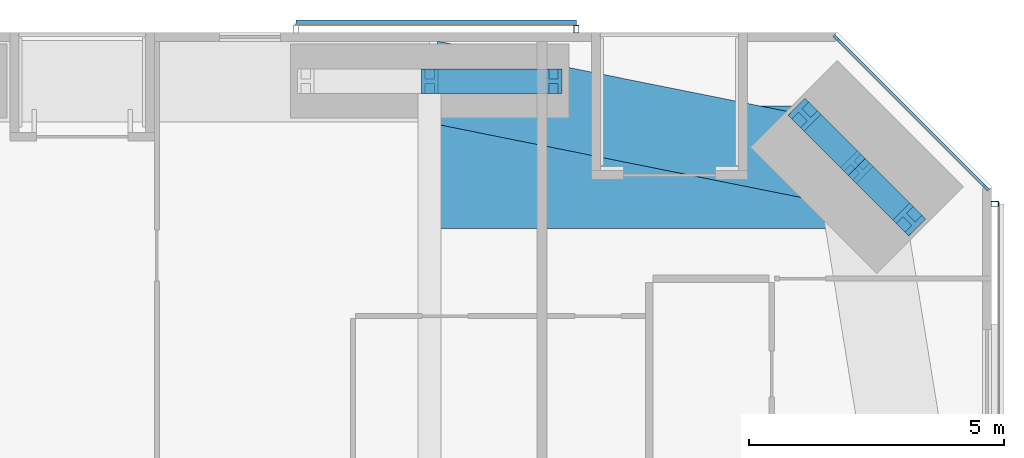
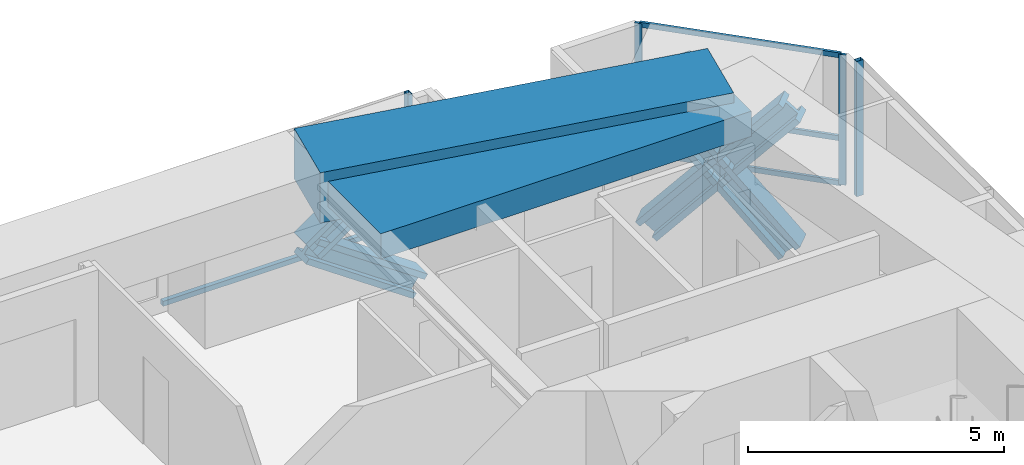
# One storey, part 14 of 23: 14 members, 2 beams, 3 elements without a shape of their own.
"""IFC4 building model written with IfcOpenShell, lengths in metres."""

from ifc_helpers import new_model, si_unit, direction, frame, origin, origin_2d, place, context, subcontext, project, spatial, rectangle, hollow_rectangle, i_section, extrude, material, material_profile, profile_set, type_object, element, aggregate, save


model = new_model("IFC4")

# Units and contexts
model_context = context("Model", 3, precision=1e-05, world=origin(), true_north=direction((0.0, 1.0)))
body_context = subcontext(model_context, "Body", "Model", "MODEL_VIEW")
ifc_project = project(units=[si_unit("LENGTHUNIT", "METRE"), si_unit("AREAUNIT", "SQUARE_METRE"), si_unit("VOLUMEUNIT", "CUBIC_METRE"), si_unit("PLANEANGLEUNIT", "RADIAN"), si_unit("MASSUNIT", "GRAM", prefix="KILO")], contexts=[model_context])

# Site, building, storey
site_placement = place(None, origin())
site = spatial("IfcSite", under=ifc_project, at=site_placement, CompositionType="ELEMENT")
building_placement = place(site_placement, origin())
building = spatial("IfcBuilding", under=site, at=building_placement, Name="Jalousie Tower", CompositionType="ELEMENT")
storey_placement = place(building_placement, frame((0.0, 0.0, 31.050048828125)))
storey = spatial("IfcBuildingStorey", under=building, at=storey_placement, Name="L07", CompositionType="ELEMENT", Elevation=31.050048828125)

# Curtain wall, members
ifc_material_1 = material(Name="Aluminium curtain wall", Category="aluminium")
curtain_wall_type_1 = type_object("IfcCurtainWallType", Name="CORNER WINDOW WALL", PredefinedType="USERDEFINED", material=ifc_material_1)
curtain_wall_1_placement = place(storey_placement, origin())
curtain_wall_1 = element("IfcCurtainWall", 1, at=curtain_wall_1_placement, inside=storey, type_object=curtain_wall_type_1, Name="Corner Window Wall L07 4", ObjectType="CORNER WINDOW WALL", PredefinedType="USERDEFINED")
ifc_material_2 = material(Name="Aluminium mullion", Category="aluminium")
ifc_material_profile_1 = material_profile(ifc_material_2, rectangle(XDim=0.06005859375, YDim=0.14990234375, at=origin_2d()), Name="MULLION 60x150")
ifc_profile_set_1 = profile_set([ifc_material_profile_1], Name="Aluminium mullion")
member_type_1 = type_object("IfcMemberType", Name="CORNER WINDOW WALL MULLION", PredefinedType="MULLION", material=ifc_profile_set_1)
member_1_placement = place(storey_placement, frame((45.891357421875, 34.969970703125, 0.0), z_axis=(0.0, 0.0, 1.0), x_axis=(-0.707106781187, -0.707106781187, 0.0)))
member_1 = element("IfcMember", 2, at=member_1_placement, type_object=member_type_1, Name="CW-C mullion 1", PredefinedType="MULLION", context=body_context, shape_type="SweptSolid", body=[
    extrude(rectangle(XDim=0.06005859375, YDim=0.14990234375, at=origin_2d()), origin(), (0.0, 0.0, 1.0), 3.10986328125),
])
member_2_placement = place(storey_placement, frame((42.969970703125, 37.891357421875, 0.0), z_axis=(0.0, 0.0, 1.0), x_axis=(-0.707106781187, -0.707106781187, 0.0)))
member_2 = element("IfcMember", 3, at=member_2_placement, type_object=member_type_1, Name="CW-C mullion 2", PredefinedType="MULLION", context=body_context, shape_type="SweptSolid", body=[
    extrude(rectangle(XDim=0.06005859375, YDim=0.14990234375, at=origin_2d()), origin(), (0.0, 0.0, 1.0), 3.10986328125),
])
ifc_material_3 = material(Name="Aluminium transom", Category="aluminium")
ifc_material_profile_2 = material_profile(ifc_material_3, rectangle(XDim=0.06005859375, YDim=0.1201171875, at=origin_2d()), Name="TRANSOM 60x120")
ifc_profile_set_2 = profile_set([ifc_material_profile_2], Name="Aluminium transom")
member_type_2 = type_object("IfcMemberType", Name="CORNER WINDOW WALL TRANSOM", PredefinedType="USERDEFINED", material=ifc_profile_set_2)
member_3_placement = place(storey_placement, frame((45.8701171875, 34.9912109375, 0.030029296875), z_axis=(-0.707106781187, 0.707106781187, 0.0), x_axis=(-0.707106781187, -0.707106781187, 0.0)))
member_3 = element("IfcMember", 4, at=member_3_placement, type_object=member_type_2, Name="CW-C transom 1.1", ObjectType="TRANSOM", PredefinedType="USERDEFINED", context=body_context, shape_type="SweptSolid", body=[
    extrude(rectangle(XDim=0.06005859375, YDim=0.1201171875, at=origin_2d()), origin(), (0.0, 0.0, 1.0), 4.0712890625),
])
member_4_placement = place(storey_placement, frame((45.8701171875, 34.9912109375, 1.099853515625), z_axis=(-0.707106781187, 0.707106781187, 0.0), x_axis=(-0.707106781187, -0.707106781187, 0.0)))
member_4 = element("IfcMember", 5, at=member_4_placement, type_object=member_type_2, Name="CW-C transom 1.2", ObjectType="TRANSOM", PredefinedType="USERDEFINED", context=body_context, shape_type="SweptSolid", body=[
    extrude(rectangle(XDim=0.06005859375, YDim=0.1201171875, at=origin_2d()), origin(), (0.0, 0.0, 1.0), 4.0712890625),
])
member_5_placement = place(storey_placement, frame((45.8701171875, 34.9912109375, 3.079833984375), z_axis=(-0.707106781187, 0.707106781187, 0.0), x_axis=(-0.707106781187, -0.707106781187, 0.0)))
member_5 = element("IfcMember", 6, at=member_5_placement, type_object=member_type_2, Name="CW-C transom 1.3", ObjectType="TRANSOM", PredefinedType="USERDEFINED", context=body_context, shape_type="SweptSolid", body=[
    extrude(rectangle(XDim=0.06005859375, YDim=0.1201171875, at=origin_2d()), origin(), (0.0, 0.0, 1.0), 4.0712890625),
])
aggregate(curtain_wall_1, [member_1, member_2, member_3, member_4, member_5])

# Members
ifc_material_4 = material(Name="Steel ASTM A992 Grade 50", Category="steel")
ifc_material_profile_3 = material_profile(ifc_material_4, i_section(OverallWidth=0.472412109375, OverallDepth=0.5791015625, WebThickness=0.094970703125, FlangeThickness=0.1298828125, at=origin_2d()), Name="W14X808")
ifc_profile_set_3 = profile_set([ifc_material_profile_3], Name="Steel ASTM A992 Grade 50")
member_type_3 = type_object("IfcMemberType", Name="PERIMETER BRACE W14X808", PredefinedType="BRACE", material=ifc_profile_set_3)
for number, where, z_axis, x_axis, name in (
    (7, (44.393798828125, 34.34326171875, -0.60009765625), (-0.462729793854, 0.462839993852, 0.756082189957), (-0.707190965575, -0.707022586774, 0.0), "Perimeter brace 08 L07 part 1"),
    (8, (43.36865234375, 35.36865234375, 1.074951171875), (-0.462839993852, 0.462729793854, 0.756082189957), (-0.707022586774, -0.707190965575, 0.0), "Perimeter brace 08 L07 part 2"),
    (9, (42.34326171875, 36.393798828125, -0.60009765625), (0.462839993852, -0.462729793854, 0.756082189957), (0.707022586774, 0.707190965575, 0.0), "Perimeter brace 08 L07 part 3"),
    (10, (43.36865234375, 35.36865234375, 1.074951171875), (0.462729793854, -0.462839993852, 0.756082189957), (0.707190965575, 0.707022586774, 0.0), "Perimeter brace 08 L07 part 4"),
):
    element("IfcMember", number, at=place(storey_placement, frame(where, z_axis=z_axis, x_axis=x_axis)), inside=storey, type_object=member_type_3, Name=name, PredefinedType="BRACE", context=body_context, shape_type="SweptSolid", body=[
        extrude(i_section(OverallWidth=0.472412109375, OverallDepth=0.5791015625, WebThickness=0.094970703125, FlangeThickness=0.1298828125, at=origin_2d()), origin(), (0.0, 0.0, 1.0), 2.21533203125),
    ])
for number, where, z_axis, x_axis, name in (
    (11, (35.0, 37.050048828125, 1.074951171875), (0.822800062329, 0.0, 0.568330940062), (0.0, 1.0, 0.0), "Perimeter brace 09 L07 part 2"),
    (12, (37.425048828125, 37.050048828125, -0.60009765625), (-0.822800062329, 0.0, 0.568330940062), (0.0, -1.0, 0.0), "Perimeter brace 09 L07 part 3"),
):
    element("IfcMember", number, at=place(storey_placement, frame(where, z_axis=z_axis, x_axis=x_axis)), inside=storey, type_object=member_type_3, Name=name, PredefinedType="BRACE", context=body_context, shape_type="SweptSolid", body=[
        extrude(i_section(OverallWidth=0.472412109375, OverallDepth=0.5791015625, WebThickness=0.094970703125, FlangeThickness=0.1298828125, at=origin_2d()), origin(), (0.0, 0.0, 1.0), 2.947265625),
    ])

# Beams
ifc_material_5 = material(Name="Concrete f'c 40 MPa", Category="concrete")
ifc_material_profile_4 = material_profile(ifc_material_5, rectangle(XDim=1.60009765625, YDim=1.199951171875, at=origin_2d()), Name="RC 1600x1200")
ifc_profile_set_4 = profile_set([ifc_material_profile_4], Name="Concrete f'c 40 MPa")
beam_type_1 = type_object("IfcBeamType", Name="RC BEAM 1600x1200", PredefinedType="BEAM", material=ifc_profile_set_4)
beam_1_placement = place(storey_placement, frame((43.36865234375, 35.36865234375, 2.75), z_axis=(-0.980407585444, 0.196979609107, 0.0), x_axis=(-0.196979609107, -0.980407585444, 0.0)))
element("IfcBeam", 13, at=beam_1_placement, inside=storey, type_object=beam_type_1, Name="Edge band beam 08-09 under L08", PredefinedType="BEAM", context=body_context, shape_type="SweptSolid", body=[
    extrude(rectangle(XDim=1.60009765625, YDim=1.199951171875, at=origin_2d()), origin(), (0.0, 0.0, 1.0), 8.535888671875),
])
ifc_material_6 = material(Name="Concrete f'c 40 MPa", Category="concrete")
ifc_material_profile_5 = material_profile(ifc_material_6, rectangle(XDim=2.39990234375, YDim=0.60009765625, at=origin_2d()), Name="RC 2400x600")
ifc_profile_set_5 = profile_set([ifc_material_profile_5], Name="Concrete f'c 40 MPa")
beam_type_2 = type_object("IfcBeamType", Name="RC BEAM 2400x600", PredefinedType="BEAM", material=ifc_profile_set_5)
beam_2_placement = place(storey_placement, frame((43.36865234375, 35.36865234375, 2.81005859375), z_axis=(-1.0, 0.0, 0.0), x_axis=(0.0, -1.0, 0.0)))
element("IfcBeam", 14, at=beam_2_placement, inside=storey, type_object=beam_type_2, Name="Floor band beam under L08", PredefinedType="BEAM", context=body_context, shape_type="SweptSolid", body=[
    extrude(rectangle(XDim=2.39990234375, YDim=0.60009765625, at=origin_2d()), origin(), (0.0, 0.0, 1.0), 8.36865234375),
])

# Curtain wall, member
ifc_material_7 = material(Name="Perforated aluminium sheet", Category="aluminium")
curtain_wall_type_2 = type_object("IfcCurtainWallType", Name="SOLAR SCREEN SS-1", PredefinedType="USERDEFINED", material=ifc_material_7)
curtain_wall_2_placement = place(storey_placement, origin())
curtain_wall_2 = element("IfcCurtainWall", 15, at=curtain_wall_2_placement, inside=storey, type_object=curtain_wall_type_2, Name="Solar screen L07", ObjectType="SOLAR SCREEN SS-1", PredefinedType="USERDEFINED")
ifc_material_8 = material(Name="Steel ASTM A500 Grade C", Category="steel")
ifc_material_profile_6 = material_profile(ifc_material_8, hollow_rectangle(XDim=0.1015625, YDim=0.15234375, WallThickness=0.00634765625, at=origin_2d()), Name="HSS6X4X1/4")
ifc_profile_set_6 = profile_set([ifc_material_profile_6], Name="Steel ASTM A500 Grade C")
member_type_4 = type_object("IfcMemberType", Name="SOLAR SCREEN SS-1 MULLION", PredefinedType="MULLION", material=ifc_profile_set_6)
member_6_placement = place(storey_placement, frame((46.0712890625, 34.648681640625, -0.1201171875), z_axis=(0.0, 0.0, 1.0), x_axis=(0.0, 1.0, 0.0)))
member_6 = element("IfcMember", 16, at=member_6_placement, type_object=member_type_4, Name="SS1 post 4", PredefinedType="MULLION", context=body_context, shape_type="SweptSolid", body=[
    extrude(hollow_rectangle(XDim=0.1015625, YDim=0.15234375, WallThickness=0.00634765625, at=origin_2d()), origin(), (0.0, 0.0, 1.0), 3.22998046875),
])
aggregate(curtain_wall_2, [member_6])

# Curtain wall, members
curtain_wall_3_placement = place(storey_placement, origin())
curtain_wall_3 = element("IfcCurtainWall", 17, at=curtain_wall_3_placement, inside=storey, type_object=curtain_wall_type_2, Name="Solar screen L07", ObjectType="SOLAR SCREEN SS-1", PredefinedType="USERDEFINED")
member_7_placement = place(storey_placement, frame((37.873779296875, 38.0712890625, -0.1201171875), z_axis=(0.0, 0.0, 1.0), x_axis=(-1.0, 0.0, 0.0)))
member_7 = element("IfcMember", 18, at=member_7_placement, type_object=member_type_4, Name="SS1 post 1", PredefinedType="MULLION", context=body_context, shape_type="SweptSolid", body=[
    extrude(hollow_rectangle(XDim=0.1015625, YDim=0.15234375, WallThickness=0.00634765625, at=origin_2d()), origin(), (0.0, 0.0, 1.0), 3.22998046875),
])
ifc_material_9 = material(Name="Extruded aluminium screen rail", Category="aluminium")
ifc_material_profile_7 = material_profile(ifc_material_9, rectangle(XDim=0.1015625, YDim=0.1201171875, at=origin_2d()), Name="RAIL 102x120")
ifc_profile_set_7 = profile_set([ifc_material_profile_7], Name="Extruded aluminium screen rail")
member_type_5 = type_object("IfcMemberType", Name="SOLAR SCREEN SS-1 TRANSOM", PredefinedType="USERDEFINED", material=ifc_profile_set_7)
member_8_placement = place(storey_placement, frame((37.873779296875, 38.1982421875, -0.06005859375), z_axis=(-1.0, 0.0, 0.0), x_axis=(0.0, -1.0, 0.0)))
member_8 = element("IfcMember", 19, at=member_8_placement, type_object=member_type_5, Name="SS1 rail", ObjectType="TRANSOM", PredefinedType="USERDEFINED", context=body_context, shape_type="SweptSolid", body=[
    extrude(rectangle(XDim=0.1015625, YDim=0.1201171875, at=origin_2d()), origin(), (0.0, 0.0, 1.0), 5.491943359375),
])
aggregate(curtain_wall_3, [member_7, member_8])

save(model, "model.ifc")
